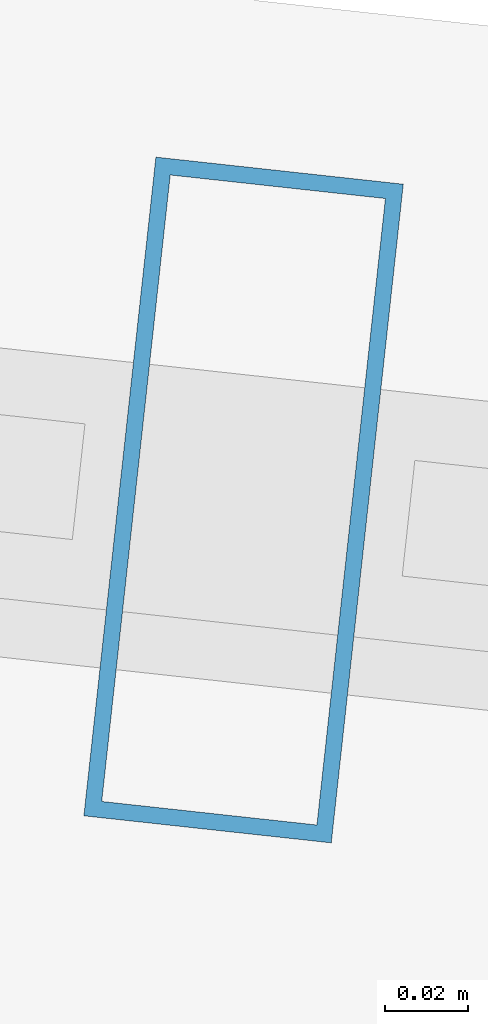
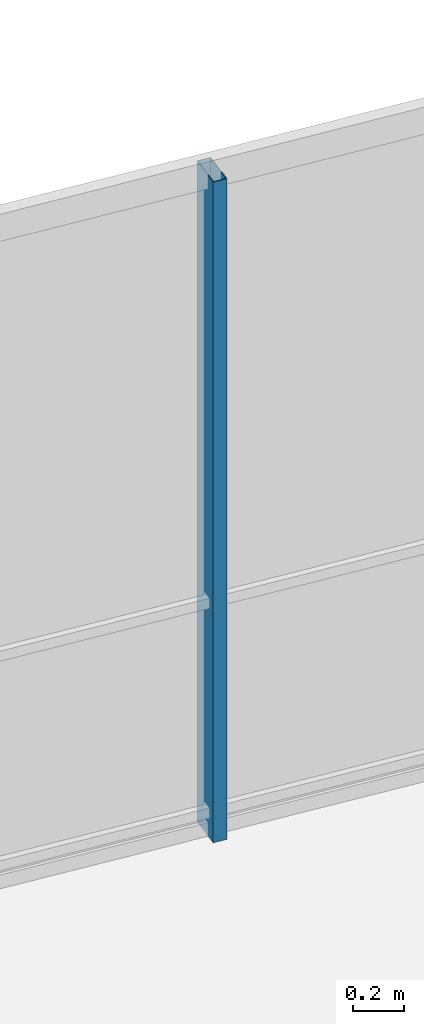
# One storey, part 20 of 28: 1 member, 1 element without a shape of its own.
"""IFC4 building model written with IfcOpenShell, lengths in metres."""

from ifc_helpers import new_model, si_unit, direction, frame, origin, origin_2d, place, context, subcontext, project, spatial, hollow_rectangle, extrude, material, layer, layer_set, material_profile, profile_set, type_object, element, aggregate, save


model = new_model("IFC4")

# Units and contexts
model_context = context("Model", 3, precision=1e-05, world=origin(), true_north=direction((0.0, 1.0)))
body_context = subcontext(model_context, "Body", "Model", "MODEL_VIEW")
ifc_project = project(units=[si_unit("LENGTHUNIT", "METRE"), si_unit("AREAUNIT", "SQUARE_METRE"), si_unit("VOLUMEUNIT", "CUBIC_METRE"), si_unit("PLANEANGLEUNIT", "RADIAN"), si_unit("MASSUNIT", "GRAM", prefix="KILO")], contexts=[model_context])

# Site, building, storey
site_placement = place(None, origin())
site = spatial("IfcSite", under=ifc_project, at=site_placement, CompositionType="ELEMENT")
building_placement = place(site_placement, origin())
building = spatial("IfcBuilding", under=site, at=building_placement, Name="Qarnah Convention Tower", CompositionType="ELEMENT")
storey_placement = place(building_placement, frame((0.0, 0.0, 44.25)))
storey = spatial("IfcBuildingStorey", under=building, at=storey_placement, Name="L10", CompositionType="ELEMENT", Elevation=44.25)

# Curtain wall, member
ifc_material_1 = material(Name="Tempered Low-E dark glass", Category="glass")
ifc_layer = layer(ifc_material_1, 0.16796875)
ifc_layer_set = layer_set([ifc_layer], Name="Tempered Low-E dark glass")
curtain_wall_type = type_object("IfcCurtainWallType", Name="CWS-01", PredefinedType="NOTDEFINED", material=ifc_layer_set)
curtain_wall_placement = place(storey_placement, origin())
curtain_wall = element("IfcCurtainWall", 1, at=curtain_wall_placement, inside=storey, type_object=curtain_wall_type, Name="L10 unitised curtain wall CW-L10-F2", PredefinedType="NOTDEFINED")
ifc_material_2 = material(Name="Black anodised aluminium", Category="aluminium")
ifc_material_profile = material_profile(ifc_material_2, hollow_rectangle(XDim=0.06005859375, YDim=0.159912109375, WallThickness=0.00390625, at=origin_2d()), Name="MUL-60X160")
ifc_profile_set = profile_set([ifc_material_profile], Name="Black anodised aluminium")
member_type = type_object("IfcMemberType", Name="MUL-T1", PredefinedType="MULLION", material=ifc_profile_set)
member_placement = place(storey_placement, frame((43.9453125, 44.407958984375, 0.0), z_axis=(0.0, 0.0, 1.0), x_axis=(0.994075669195, -0.108690219954, 0.0)))
member = element("IfcMember", 2, at=member_placement, type_object=member_type, Name="CW-L10-F2 mullion 4", PredefinedType="MULLION", context=body_context, shape_type="SweptSolid", body=[
    extrude(hollow_rectangle(XDim=0.06005859375, YDim=0.159912109375, WallThickness=0.00390625, at=origin_2d()), origin(), (0.0, 0.0, 1.0), 3.169921875),
])
aggregate(curtain_wall, [member])

save(model, "model.ifc")
